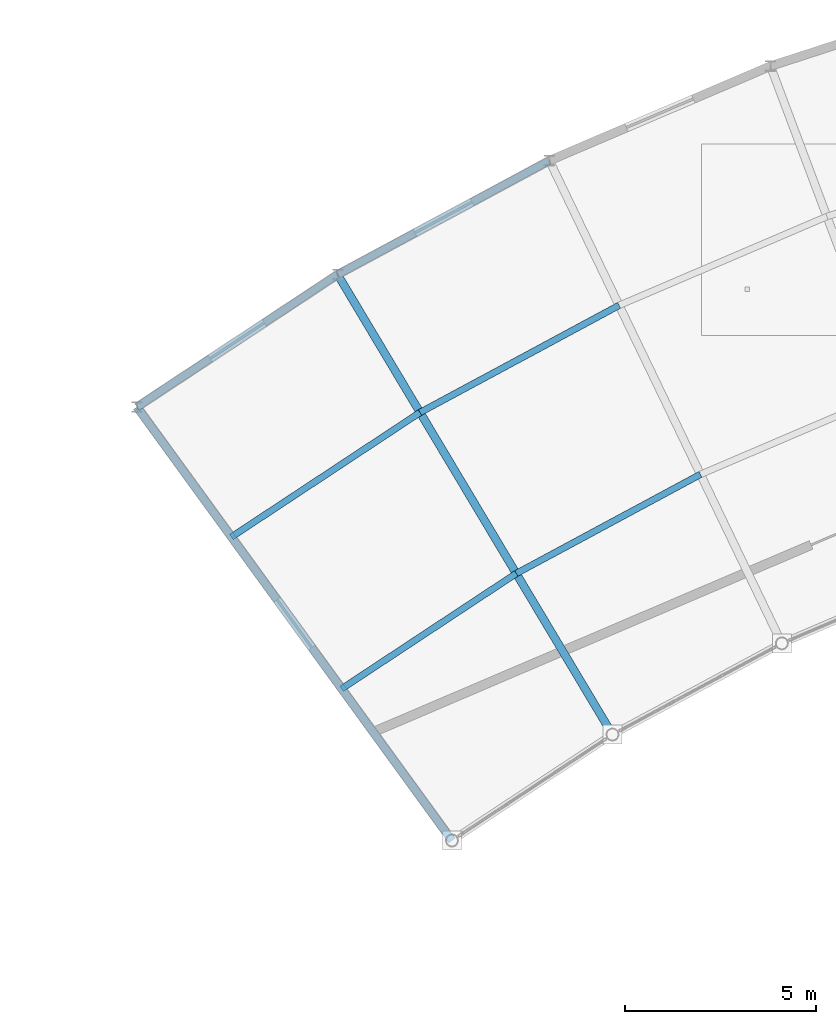
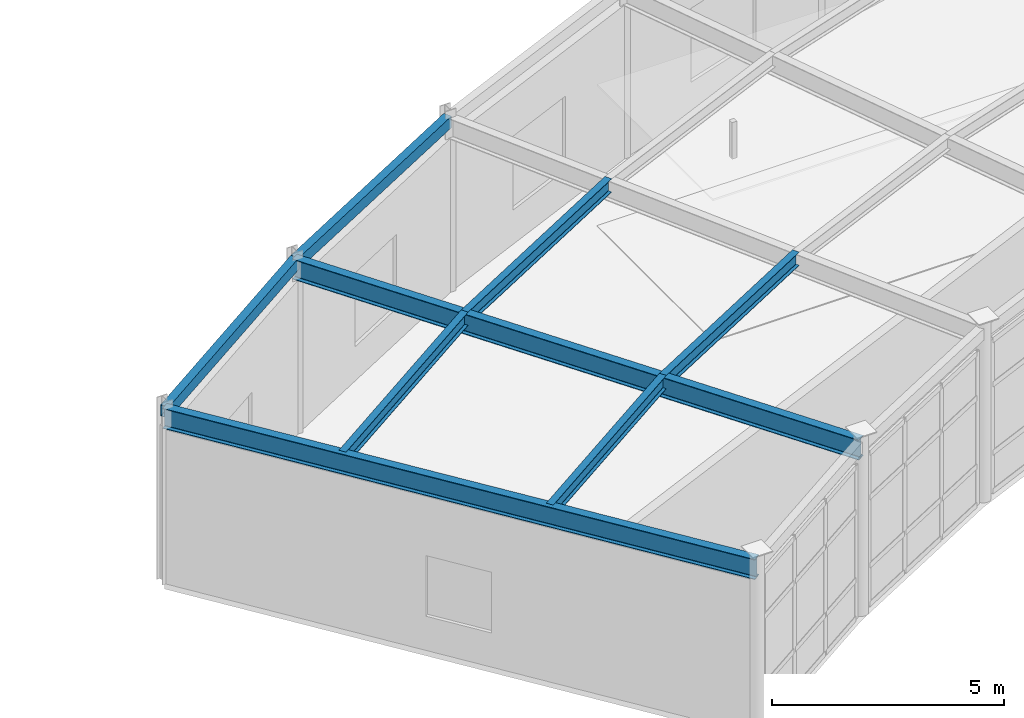
# One storey, part 58 of 105: 8 beams.
"""IFC4 building model written with IfcOpenShell, lengths in metres."""

from ifc_helpers import new_model, si_unit, direction, frame, origin, origin_2d, place, context, subcontext, project, spatial, hollow_rectangle, i_section, extrude, material, material_profile, profile_set, type_object, element, save


model = new_model("IFC4")

# Units and contexts
model_context = context("Model", 3, precision=1e-05, world=origin(), true_north=direction((0.0, 1.0)))
body_context = subcontext(model_context, "Body", "Model", "MODEL_VIEW")
ifc_project = project(units=[si_unit("LENGTHUNIT", "METRE"), si_unit("AREAUNIT", "SQUARE_METRE"), si_unit("VOLUMEUNIT", "CUBIC_METRE"), si_unit("PLANEANGLEUNIT", "RADIAN"), si_unit("MASSUNIT", "GRAM", prefix="KILO")], contexts=[model_context])

# Site, building, storey
site_placement = place(None, origin())
site = spatial("IfcSite", under=ifc_project, at=site_placement, CompositionType="ELEMENT")
building_placement = place(site_placement, origin())
building = spatial("IfcBuilding", under=site, at=building_placement, Name="Selat Folded Stagehouse", CompositionType="ELEMENT")
storey_placement = place(building_placement, frame((0.0, 0.0, 10.199951171875)))
storey = spatial("IfcBuildingStorey", under=building, at=storey_placement, Name="L02", CompositionType="ELEMENT", Elevation=10.199951171875)

# Beams
ifc_material = material(Name="Steel S355", Category="steel")
ifc_material_profile_1 = material_profile(ifc_material, i_section(OverallWidth=0.209228515625, OverallDepth=0.533203125, WebThickness=0.010009765625, FlangeThickness=0.015625, FilletRadius=0.0126953125, at=origin_2d()), Name="UKB 533x210x92")
ifc_profile_set_1 = profile_set([ifc_material_profile_1], Name="Steel S355")
beam_type_1 = type_object("IfcBeamType", Name="BM-GIRD-533x210x92", PredefinedType="BEAM", material=ifc_profile_set_1)
for number, where, z_axis, x_axis, name in (
    (1, (59.48388671875, 83.304931640625, 4.33349609375), (-0.587787980643, 0.809015012105, 0.0), (-0.809015012105, -0.587787980643, 0.0), "L02 curved rehearsal radial girder 1"),
    (2, (63.677490234375, 86.072998046875, 4.33349609375), (-0.512889467978, 0.858454654386, 0.0), (-0.858454654386, -0.512889467978, 0.0), "L02 curved rehearsal radial girder 2"),
):
    element("IfcBeam", number, at=place(storey_placement, frame(where, z_axis=z_axis, x_axis=x_axis)), inside=storey, type_object=beam_type_1, Name=name, PredefinedType="BEAM", context=body_context, shape_type="SweptSolid", body=[
        extrude(i_section(OverallWidth=0.209228515625, OverallDepth=0.533203125, WebThickness=0.010009765625, FlangeThickness=0.015625, FilletRadius=0.0126953125, at=origin_2d()), origin(), (0.0, 0.0, 1.0), 14.0),
    ])
ifc_material_profile_2 = material_profile(ifc_material, i_section(OverallWidth=0.17138671875, OverallDepth=0.35498046875, WebThickness=0.00732421875, FlangeThickness=0.011474609375, FilletRadius=0.01025390625, at=origin_2d()), Name="UKB 356x171x51")
ifc_profile_set_2 = profile_set([ifc_material_profile_2], Name="Steel S355")
beam_type_2 = type_object("IfcBeamType", Name="JST-356x171x51", PredefinedType="JOIST", material=ifc_profile_set_2)
beam_1_placement = place(storey_placement, frame((56.60400390625, 87.269287109375, 4.422607421875), z_axis=(0.834571198411, 0.550900095102, 0.0), x_axis=(-0.550900095102, 0.834571198411, 0.0)))
element("IfcBeam", 3, at=beam_1_placement, inside=storey, type_object=beam_type_2, Name="L02 curved rehearsal secondary joist 1.1", PredefinedType="JOIST", context=body_context, shape_type="SweptSolid", body=[
    extrude(i_section(OverallWidth=0.17138671875, OverallDepth=0.35498046875, WebThickness=0.00732421875, FlangeThickness=0.011474609375, FilletRadius=0.01025390625, at=origin_2d()), origin(), (0.0, 0.0, 1.0), 5.46435546875),
])
beam_2_placement = place(storey_placement, frame((53.7236328125, 91.2333984375, 4.422607421875), z_axis=(0.834598760834, 0.550858337883, 0.0), x_axis=(-0.550858337883, 0.834598760834, 0.0)))
element("IfcBeam", 4, at=beam_2_placement, inside=storey, type_object=beam_type_2, Name="L02 curved rehearsal secondary joist 1.2", PredefinedType="JOIST", context=body_context, shape_type="SweptSolid", body=[
    extrude(i_section(OverallWidth=0.17138671875, OverallDepth=0.35498046875, WebThickness=0.00732421875, FlangeThickness=0.011474609375, FilletRadius=0.01025390625, at=origin_2d()), origin(), (0.0, 0.0, 1.0), 5.904296875),
])
beam_3_placement = place(storey_placement, frame((61.164306640625, 90.279541015625, 4.422607421875), z_axis=(0.88061308163, 0.473836048083, 0.0), x_axis=(-0.473836048083, 0.88061308163, 0.0)))
element("IfcBeam", 5, at=beam_3_placement, inside=storey, type_object=beam_type_2, Name="L02 curved rehearsal secondary joist 2.1", PredefinedType="JOIST", context=body_context, shape_type="SweptSolid", body=[
    extrude(i_section(OverallWidth=0.17138671875, OverallDepth=0.35498046875, WebThickness=0.00732421875, FlangeThickness=0.011474609375, FilletRadius=0.01025390625, at=origin_2d()), origin(), (0.0, 0.0, 1.0), 5.464599609375),
])
beam_4_placement = place(storey_placement, frame((58.6513671875, 94.48583984375, 4.422607421875), z_axis=(0.880583938492, 0.473890205923, 0.0), x_axis=(-0.473890205923, 0.880583938492, 0.0)))
element("IfcBeam", 6, at=beam_4_placement, inside=storey, type_object=beam_type_2, Name="L02 curved rehearsal secondary joist 2.2", PredefinedType="JOIST", context=body_context, shape_type="SweptSolid", body=[
    extrude(i_section(OverallWidth=0.17138671875, OverallDepth=0.35498046875, WebThickness=0.00732421875, FlangeThickness=0.011474609375, FilletRadius=0.01025390625, at=origin_2d()), origin(), (0.0, 0.0, 1.0), 5.904052734375),
])
ifc_material_profile_3 = material_profile(ifc_material, hollow_rectangle(XDim=0.199951171875, YDim=0.300048828125, WallThickness=0.012451171875, at=origin_2d()), Name="RHS 300x200x12.5")
ifc_profile_set_3 = profile_set([ifc_material_profile_3], Name="Steel S355")
beam_type_3 = type_object("IfcBeamType", Name="SPD-RHS-300x200", PredefinedType="SPANDREL", material=ifc_profile_set_3)
beam_5_placement = place(storey_placement, frame((51.2548828125, 94.631103515625, 4.449951171875), z_axis=(0.834582959038, 0.550882278244, 0.0), x_axis=(-0.550882278244, 0.834582959038, 0.0)))
element("IfcBeam", 7, at=beam_5_placement, inside=storey, type_object=beam_type_3, Name="L02 outer curved rehearsal spandrel 1", PredefinedType="SPANDREL", context=body_context, shape_type="SweptSolid", body=[
    extrude(hollow_rectangle(XDim=0.199951171875, YDim=0.300048828125, WallThickness=0.012451171875, at=origin_2d()), origin(), (0.0, 0.0, 1.0), 6.28125),
])
beam_6_placement = place(storey_placement, frame((56.4970703125, 98.09130859375, 4.449951171875), z_axis=(0.880582156138, 0.473893517883, 0.0), x_axis=(-0.473893517883, 0.880582156138, 0.0)))
element("IfcBeam", 8, at=beam_6_placement, inside=storey, type_object=beam_type_3, Name="L02 outer curved rehearsal spandrel 2", PredefinedType="SPANDREL", context=body_context, shape_type="SweptSolid", body=[
    extrude(hollow_rectangle(XDim=0.199951171875, YDim=0.300048828125, WallThickness=0.012451171875, at=origin_2d()), origin(), (0.0, 0.0, 1.0), 6.281005859375),
])

save(model, "model.ifc")
